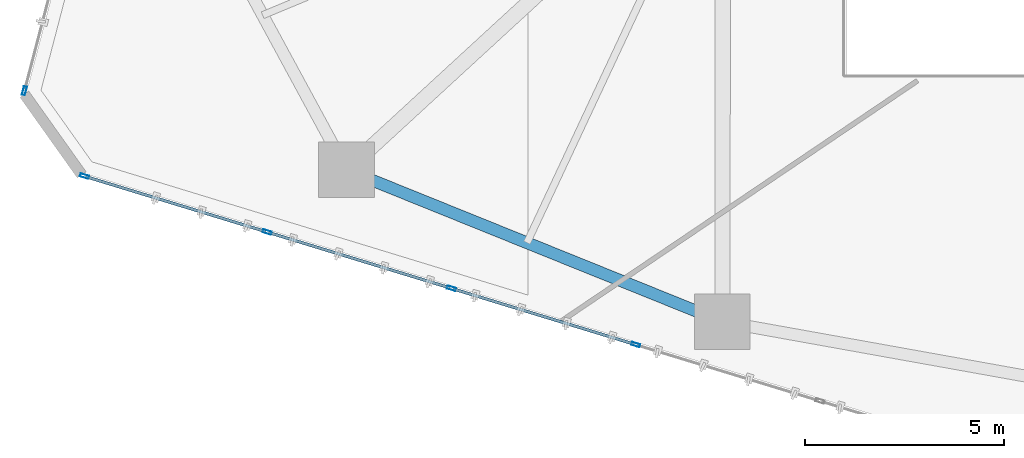
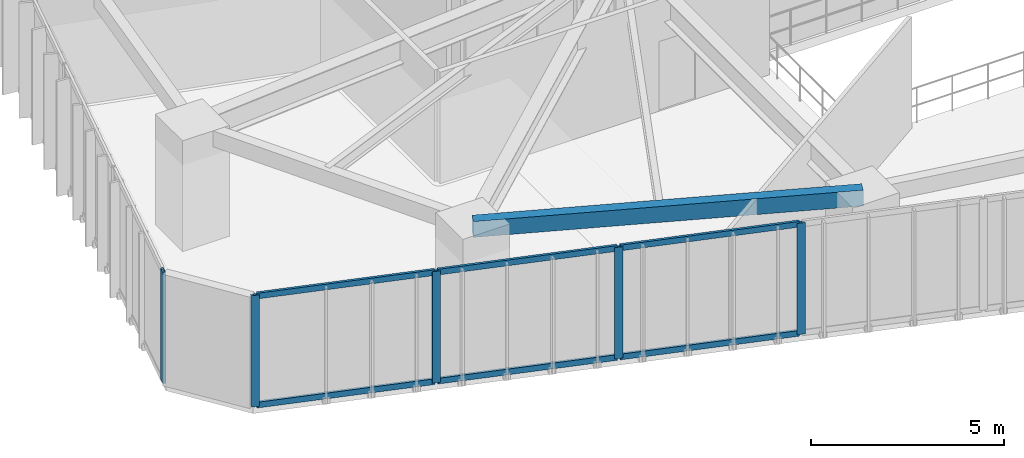
# One storey, part 2 of 24: 11 members, 1 beam, 2 elements without a shape of their own.
"""IFC4 building model written with IfcOpenShell, lengths in metres."""

from ifc_helpers import new_model, si_unit, direction, frame, origin, origin_2d, place, context, subcontext, project, spatial, hollow_rectangle, extrude, source, transform, mapped, material, layer, layer_set, material_profile, profile_set, type_object, type_shapes, element, aggregate, save


model = new_model("IFC4")

# Units and contexts
model_context = context("Model", 3, precision=1e-05, world=origin(), true_north=direction((0.0, 1.0)))
body_context = subcontext(model_context, "Body", "Model", "MODEL_VIEW")
ifc_project = project(units=[si_unit("LENGTHUNIT", "METRE"), si_unit("AREAUNIT", "SQUARE_METRE"), si_unit("VOLUMEUNIT", "CUBIC_METRE"), si_unit("PLANEANGLEUNIT", "RADIAN"), si_unit("MASSUNIT", "GRAM", prefix="KILO")], contexts=[model_context])

# Site, building, storey
site_placement = place(None, origin())
site = spatial("IfcSite", under=ifc_project, at=site_placement, CompositionType="ELEMENT")
building_placement = place(site_placement, origin())
building = spatial("IfcBuilding", under=site, at=building_placement, Name="Talar Marvaseh", CompositionType="ELEMENT")
storey_placement = place(building_placement, frame((0.0, 0.0, 39.199951171875)))
storey = spatial("IfcBuildingStorey", under=building, at=storey_placement, Name="L09", CompositionType="ELEMENT", Elevation=39.199951171875)

# Beam
ifc_material_1 = material(Name="Steel S355", Category="steel")
ifc_material_profile_1 = material_profile(ifc_material_1, hollow_rectangle(XDim=0.300048828125, YDim=0.5, WallThickness=0.02001953125, at=origin_2d()), Name="RHS500x300x20")
ifc_profile_set_1 = profile_set([ifc_material_profile_1], Name="Steel S355")
beam_type = type_object("IfcBeamType", Name="Zone 1 Perimeter Spandrel Beam RHS500x300x20", PredefinedType="SPANDREL", material=ifc_profile_set_1)
beam_placement = place(storey_placement, frame((18.68310546875, 12.97900390625, 3.27001953125), z_axis=(-0.927239278118, 0.374469386084, 0.0), x_axis=(-0.374469386084, -0.927239278118, 0.0)))
element("IfcBeam", 1, at=beam_placement, inside=storey, type_object=beam_type, Name="L09 Zone 1 Perimeter Spandrel Beam RHS500x300x20", PredefinedType="SPANDREL", context=body_context, shape_type="SweptSolid", body=[
    extrude(hollow_rectangle(XDim=0.300048828125, YDim=0.5, WallThickness=0.02001953125, at=origin_2d()), origin(), (0.0, 0.0, 1.0), 10.19287109375),
])

# Curtain wall, member
ifc_material_2 = material(Name="Architectural Aluminium", Category="aluminium")
ifc_layer = layer(ifc_material_2, 0.219970703125)
ifc_layer_set = layer_set([ifc_layer], Name="Architectural Aluminium")
curtain_wall_type = type_object("IfcCurtainWallType", Name="Unitised Low-E Museum Curtain Wall Z1", PredefinedType="NOTDEFINED", material=ifc_layer_set)
curtain_wall_1_placement = place(storey_placement, origin())
curtain_wall_1 = element("IfcCurtainWall", 2, at=curtain_wall_1_placement, inside=storey, type_object=curtain_wall_type, Name="L09 Unitised Low-E Museum Curtain Wall Z1", PredefinedType="NOTDEFINED")
ifc_material_profile_2 = material_profile(ifc_material_2, hollow_rectangle(XDim=0.080078125, YDim=0.219970703125, WallThickness=0.0048828125, at=origin_2d()), Name="RHS220x80x5")
ifc_profile_set_2 = profile_set([ifc_material_profile_2], Name="Architectural Aluminium")
member_type_1 = type_object("IfcMemberType", Name="Unitised Curtain Wall Heavy Mullion RHS220x80x5", PredefinedType="MULLION", material=ifc_profile_set_2)
shared_shape_1 = source(origin(), body_context, "Body", "SweptSolid", [
    extrude(hollow_rectangle(XDim=0.080078125, YDim=0.219970703125, WallThickness=0.0048828125, at=origin_2d()), origin(), (0.0, 0.0, 1.0), 3.52001953125),
])
type_shapes(member_type_1, [shared_shape_1])
member_1_placement = place(storey_placement, frame((1.1318359375, 18.785400390625, 0.0), z_axis=(0.0, 0.0, 1.0), x_axis=(-0.96747170766, 0.252979238038, 0.0)))
member_1 = element("IfcMember", 3, at=member_1_placement, type_object=member_type_1, Name="CW-Z1 mullion 1", PredefinedType="MULLION", context=body_context, shape_type="MappedRepresentation", body=[
    mapped(shared_shape_1, transform((0.0, 0.0, 0.0), x_axis=(1.0, 0.0, 0.0), y_axis=(0.0, 1.0, 0.0), z_axis=(0.0, 0.0, 1.0), scale=1.0)),
])
aggregate(curtain_wall_1, [member_1])

# Curtain wall, members
curtain_wall_2_placement = place(storey_placement, origin())
curtain_wall_2 = element("IfcCurtainWall", 4, at=curtain_wall_2_placement, inside=storey, type_object=curtain_wall_type, Name="L09 Unitised Low-E Museum Curtain Wall Z1", PredefinedType="NOTDEFINED")
member_2_placement = place(storey_placement, frame((16.503662109375, 12.402099609375, 0.0), z_axis=(0.0, 0.0, 1.0), x_axis=(-0.29222314974, -0.956350161163, 0.0)))
member_2 = element("IfcMember", 5, at=member_2_placement, type_object=member_type_1, Name="CW-Z1 mullion 3", PredefinedType="MULLION", context=body_context, shape_type="MappedRepresentation", body=[
    mapped(shared_shape_1, transform((0.0, 0.0, 0.0), x_axis=(1.0, 0.0, 0.0), y_axis=(0.0, 1.0, 0.0), z_axis=(0.0, 0.0, 1.0), scale=1.0)),
])
member_3_placement = place(storey_placement, frame((11.869873046875, 13.81787109375, 0.0), z_axis=(0.0, 0.0, 1.0), x_axis=(-0.29222314974, -0.956350161163, 0.0)))
member_3 = element("IfcMember", 6, at=member_3_placement, type_object=member_type_1, Name="CW-Z1 mullion 4", PredefinedType="MULLION", context=body_context, shape_type="MappedRepresentation", body=[
    mapped(shared_shape_1, transform((0.0, 0.0, 0.0), x_axis=(1.0, 0.0, 0.0), y_axis=(0.0, 1.0, 0.0), z_axis=(0.0, 0.0, 1.0), scale=1.0)),
])
member_4_placement = place(storey_placement, frame((7.236083984375, 15.23388671875, 0.0), z_axis=(0.0, 0.0, 1.0), x_axis=(-0.29222314974, -0.956350161163, 0.0)))
member_4 = element("IfcMember", 7, at=member_4_placement, type_object=member_type_1, Name="CW-Z1 mullion 5", PredefinedType="MULLION", context=body_context, shape_type="MappedRepresentation", body=[
    mapped(shared_shape_1, transform((0.0, 0.0, 0.0), x_axis=(1.0, 0.0, 0.0), y_axis=(0.0, 1.0, 0.0), z_axis=(0.0, 0.0, 1.0), scale=1.0)),
])
member_5_placement = place(storey_placement, frame((2.640380859375, 16.63818359375, 0.0), z_axis=(0.0, 0.0, 1.0), x_axis=(-0.29222314974, -0.956350161163, 0.0)))
member_5 = element("IfcMember", 8, at=member_5_placement, type_object=member_type_1, Name="CW-Z1 mullion 6", PredefinedType="MULLION", context=body_context, shape_type="MappedRepresentation", body=[
    mapped(shared_shape_1, transform((0.0, 0.0, 0.0), x_axis=(1.0, 0.0, 0.0), y_axis=(0.0, 1.0, 0.0), z_axis=(0.0, 0.0, 1.0), scale=1.0)),
])
ifc_material_profile_3 = material_profile(ifc_material_2, hollow_rectangle(XDim=0.074951171875, YDim=0.179931640625, WallThickness=0.0048828125, at=origin_2d()), Name="RHS180x75x5")
ifc_profile_set_3 = profile_set([ifc_material_profile_3], Name="Architectural Aluminium")
member_type_2 = type_object("IfcMemberType", Name="Unitised Curtain Wall Transom RHS180x75x5", PredefinedType="USERDEFINED", material=ifc_profile_set_3)
shared_shape_2 = source(origin(), body_context, "Body", "SweptSolid", [
    extrude(hollow_rectangle(XDim=0.074951171875, YDim=0.179931640625, WallThickness=0.0048828125, at=origin_2d()), origin(), (0.0, 0.0, 1.0), 4.725341796875),
])
member_6_placement = place(storey_placement, frame((7.19775390625, 15.24560546875, 0.03759765625), z_axis=(-0.956349164528, 0.292226411376, 0.0), x_axis=(-0.292226411376, -0.956349164528, 0.0)))
member_6 = element("IfcMember", 9, at=member_6_placement, type_object=member_type_2, Name="CW-Z1 transom 5.1", ObjectType="TRANSOM", PredefinedType="USERDEFINED", context=body_context, shape_type="MappedRepresentation", body=[
    mapped(shared_shape_2, transform((0.0, 0.0, 0.0), x_axis=(1.0, 0.0, 0.0), y_axis=(0.0, 1.0, 0.0), z_axis=(0.0, 0.0, 1.0), scale=1.0)),
])
member_7_placement = place(storey_placement, frame((7.19775390625, 15.24560546875, 3.482666015625), z_axis=(-0.956349164528, 0.292226411376, 0.0), x_axis=(-0.292226411376, -0.956349164528, 0.0)))
member_7 = element("IfcMember", 10, at=member_7_placement, type_object=member_type_2, Name="CW-Z1 transom 5.2", ObjectType="TRANSOM", PredefinedType="USERDEFINED", context=body_context, shape_type="MappedRepresentation", body=[
    mapped(shared_shape_2, transform((0.0, 0.0, 0.0), x_axis=(1.0, 0.0, 0.0), y_axis=(0.0, 1.0, 0.0), z_axis=(0.0, 0.0, 1.0), scale=1.0)),
])
shared_shape_3 = source(origin(), body_context, "Body", "SweptSolid", [
    extrude(hollow_rectangle(XDim=0.074951171875, YDim=0.179931640625, WallThickness=0.0048828125, at=origin_2d()), origin(), (0.0, 0.0, 1.0), 4.765380859375),
])
member_8_placement = place(storey_placement, frame((16.465576171875, 12.413818359375, 0.03759765625), z_axis=(-0.956363104019, 0.292180788676, 0.0), x_axis=(-0.292180788676, -0.956363104019, 0.0)))
member_8 = element("IfcMember", 11, at=member_8_placement, type_object=member_type_2, Name="CW-Z1 transom 3.1", ObjectType="TRANSOM", PredefinedType="USERDEFINED", context=body_context, shape_type="MappedRepresentation", body=[
    mapped(shared_shape_3, transform((0.0, 0.0, 0.0), x_axis=(1.0, 0.0, 0.0), y_axis=(0.0, 1.0, 0.0), z_axis=(0.0, 0.0, 1.0), scale=1.0)),
])
member_9_placement = place(storey_placement, frame((16.465576171875, 12.413818359375, 3.482666015625), z_axis=(-0.956363104019, 0.292180788676, 0.0), x_axis=(-0.292180788676, -0.956363104019, 0.0)))
member_9 = element("IfcMember", 12, at=member_9_placement, type_object=member_type_2, Name="CW-Z1 transom 3.2", ObjectType="TRANSOM", PredefinedType="USERDEFINED", context=body_context, shape_type="MappedRepresentation", body=[
    mapped(shared_shape_3, transform((0.0, 0.0, 0.0), x_axis=(1.0, 0.0, 0.0), y_axis=(0.0, 1.0, 0.0), z_axis=(0.0, 0.0, 1.0), scale=1.0)),
])
shared_shape_4 = source(origin(), body_context, "Body", "SweptSolid", [
    extrude(hollow_rectangle(XDim=0.074951171875, YDim=0.179931640625, WallThickness=0.0048828125, at=origin_2d()), origin(), (0.0, 0.0, 1.0), 4.76513671875),
])
type_shapes(member_type_2, [shared_shape_2, shared_shape_3, shared_shape_4])
member_10_placement = place(storey_placement, frame((11.83154296875, 13.82958984375, 0.03759765625), z_axis=(-0.956344411665, 0.292241965292, 0.0), x_axis=(-0.292241965292, -0.956344411665, 0.0)))
member_10 = element("IfcMember", 13, at=member_10_placement, type_object=member_type_2, Name="CW-Z1 transom 4.1", ObjectType="TRANSOM", PredefinedType="USERDEFINED", context=body_context, shape_type="MappedRepresentation", body=[
    mapped(shared_shape_4, transform((0.0, 0.0, 0.0), x_axis=(1.0, 0.0, 0.0), y_axis=(0.0, 1.0, 0.0), z_axis=(0.0, 0.0, 1.0), scale=1.0)),
])
member_11_placement = place(storey_placement, frame((11.83154296875, 13.82958984375, 3.482666015625), z_axis=(-0.956344411665, 0.292241965292, 0.0), x_axis=(-0.292241965292, -0.956344411665, 0.0)))
member_11 = element("IfcMember", 14, at=member_11_placement, type_object=member_type_2, Name="CW-Z1 transom 4.2", ObjectType="TRANSOM", PredefinedType="USERDEFINED", context=body_context, shape_type="MappedRepresentation", body=[
    mapped(shared_shape_4, transform((0.0, 0.0, 0.0), x_axis=(1.0, 0.0, 0.0), y_axis=(0.0, 1.0, 0.0), z_axis=(0.0, 0.0, 1.0), scale=1.0)),
])
aggregate(curtain_wall_2, [member_2, member_3, member_4, member_5, member_8, member_9, member_10, member_11, member_6, member_7])

save(model, "model.ifc")
